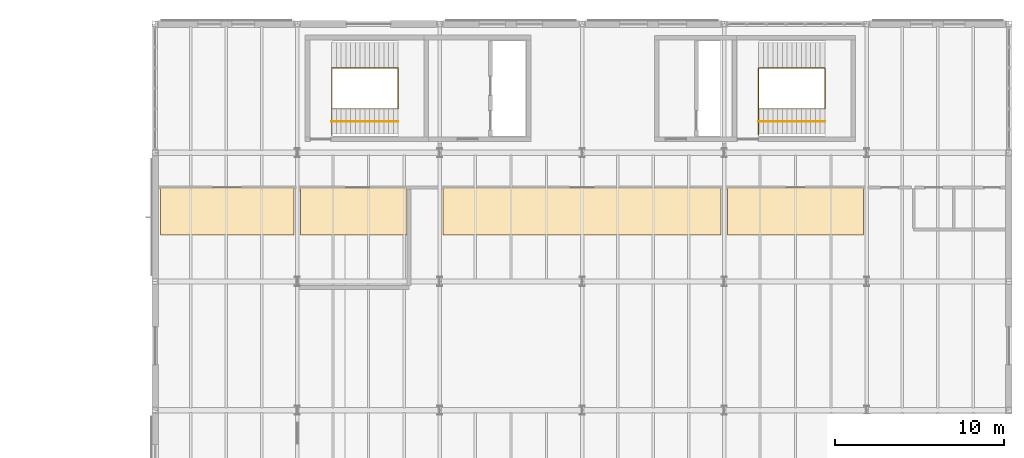
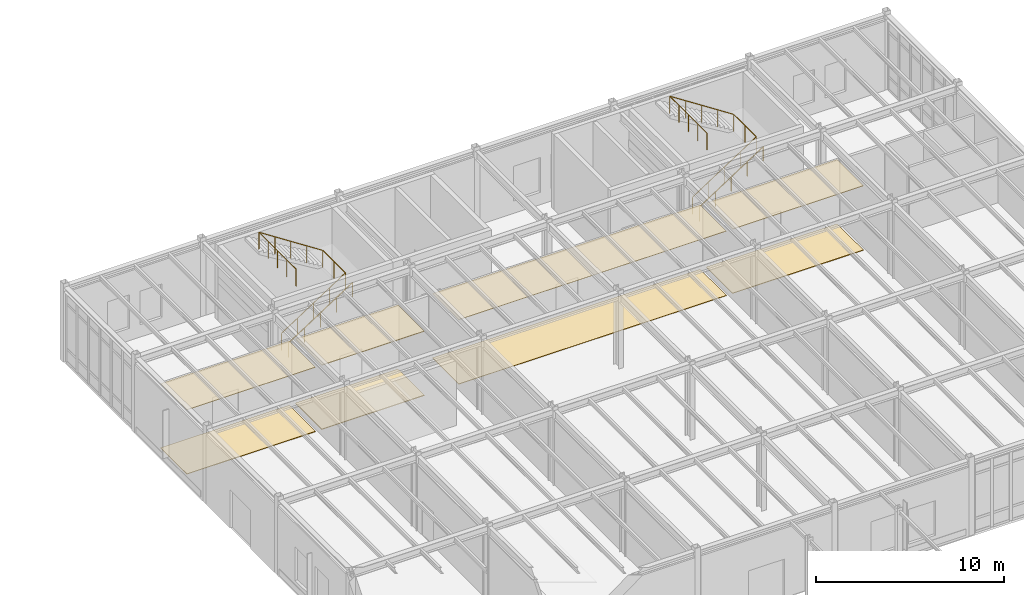
# One storey, part 105 of 109: 8 coverings, 4 railings.
"""IFC4 building model written with IfcOpenShell, lengths in metres."""

from ifc_helpers import new_model, si_unit, direction, frame, origin, origin_2d, place, context, subcontext, project, spatial, polyline, circle, outline, extrude, material, layer, layer_set, type_object, element, save


model = new_model("IFC4")

# Units and contexts
model_context = context("Model", 3, precision=1e-05, world=origin(), true_north=direction((0.0, 1.0)))
body_context = subcontext(model_context, "Body", "Model", "MODEL_VIEW")
ifc_project = project(units=[si_unit("LENGTHUNIT", "METRE"), si_unit("AREAUNIT", "SQUARE_METRE"), si_unit("VOLUMEUNIT", "CUBIC_METRE"), si_unit("PLANEANGLEUNIT", "RADIAN"), si_unit("MASSUNIT", "GRAM", prefix="KILO")], contexts=[model_context])

# Site, building, storey
site_placement = place(None, origin())
site = spatial("IfcSite", under=ifc_project, at=site_placement, CompositionType="ELEMENT")
building_placement = place(site_placement, origin())
building = spatial("IfcBuilding", under=site, at=building_placement, Name="Montecoro Central Library", CompositionType="ELEMENT")
storey_placement = place(building_placement, origin())
storey = spatial("IfcBuildingStorey", under=building, at=storey_placement, Name="L00", CompositionType="ELEMENT", Elevation=0.0)

# Coverings
ifc_material_1 = material(Name="Acoustic perforated mineral ceiling")
ifc_layer_1 = layer(ifc_material_1, 0.02490234375)
ifc_layer_set_1 = layer_set([ifc_layer_1], Name="Acoustic perforated mineral ceiling")
covering_type_1 = type_object("IfcCoveringType", Name="COV-CLG-01", PredefinedType="CEILING", material=ifc_layer_set_1)
covering_1_placement = place(storey_placement, frame((0.0, 0.0, 4.175048828125)))
element("IfcCovering", 1, at=covering_1_placement, inside=storey, type_object=covering_type_1, Name="CLG-SP-V2-L00-R3P1", PredefinedType="CEILING", context=body_context, shape_type="SweptSolid", body=[
    extrude(outline(polyline([(83.389892578125, 106.550048828125), (99.81005859375, 106.550048828125), (99.81005859375, 109.35009765625), (83.389892578125, 109.35009765625), (83.389892578125, 106.550048828125)])), origin(), (0.0, 0.0, 1.0), 0.02490234375),
])
ifc_layer_2 = layer(ifc_material_1, 0.031982421875)
ifc_layer_set_2 = layer_set([ifc_layer_2], Name="Acoustic perforated mineral ceiling")
covering_type_2 = type_object("IfcCoveringType", Name="COV-CLG-02", PredefinedType="CEILING", material=ifc_layer_set_2)
covering_2_placement = place(storey_placement, frame((0.0, 0.0, 4.16796875)))
element("IfcCovering", 2, at=covering_2_placement, inside=storey, type_object=covering_type_2, Name="CLG-SP-V2-L00-R1P1", PredefinedType="CEILING", context=body_context, shape_type="SweptSolid", body=[
    extrude(outline(polyline([(66.719970703125, 106.550048828125), (74.610107421875, 106.550048828125), (74.610107421875, 109.35009765625), (66.719970703125, 109.35009765625), (66.719970703125, 106.550048828125)])), origin(), (0.0, 0.0, 1.0), 0.031982421875),
])
covering_3_placement = place(storey_placement, frame((0.0, 0.0, 4.16796875)))
element("IfcCovering", 3, at=covering_3_placement, inside=storey, type_object=covering_type_2, Name="CLG-SP-V2-L00-R4P1", PredefinedType="CEILING", context=body_context, shape_type="SweptSolid", body=[
    extrude(outline(polyline([(100.18994140625, 106.550048828125), (108.2099609375, 106.550048828125), (108.2099609375, 109.35009765625), (100.18994140625, 109.35009765625), (100.18994140625, 106.550048828125)])), origin(), (0.0, 0.0, 1.0), 0.031982421875),
])
ifc_layer_3 = layer(ifc_material_1, 0.0400390625)
ifc_layer_set_3 = layer_set([ifc_layer_3], Name="Acoustic perforated mineral ceiling")
covering_type_3 = type_object("IfcCoveringType", Name="COV-CLG-03", PredefinedType="CEILING", material=ifc_layer_set_3)
covering_4_placement = place(storey_placement, frame((0.0, 0.0, 4.159912109375)))
element("IfcCovering", 4, at=covering_4_placement, inside=storey, type_object=covering_type_3, Name="CLG-SP-V2-L00-FCR", PredefinedType="CEILING", context=body_context, shape_type="SweptSolid", body=[
    extrude(outline(polyline([(74.989990234375, 106.550048828125), (81.280029296875, 106.550048828125), (81.280029296875, 109.35009765625), (74.989990234375, 109.35009765625), (74.989990234375, 106.550048828125)])), origin(), (0.0, 0.0, 1.0), 0.0400390625),
])
ifc_material_2 = material(Name="Neapolitan brass-inlaid terrazzo flooring")
ifc_layer_4 = layer(ifc_material_2, 0.028076171875)
ifc_layer_set_4 = layer_set([ifc_layer_4], Name="Neapolitan brass-inlaid terrazzo flooring")
covering_type_4 = type_object("IfcCoveringType", Name="COV-FLR-01", PredefinedType="FLOORING", material=ifc_layer_set_4)
covering_5_placement = place(storey_placement, origin())
element("IfcCovering", 5, at=covering_5_placement, inside=storey, type_object=covering_type_4, Name="FLR-SP-V2-L00-R3P1", PredefinedType="FLOORING", context=body_context, shape_type="SweptSolid", body=[
    extrude(outline(polyline([(83.389892578125, 106.550048828125), (99.81005859375, 106.550048828125), (99.81005859375, 109.35009765625), (83.389892578125, 109.35009765625), (83.389892578125, 106.550048828125)])), origin(), (0.0, 0.0, 1.0), 0.028076171875),
])
ifc_layer_5 = layer(ifc_material_2, 0.035888671875)
ifc_layer_set_5 = layer_set([ifc_layer_5], Name="Neapolitan brass-inlaid terrazzo flooring")
covering_type_5 = type_object("IfcCoveringType", Name="COV-FLR-02", PredefinedType="FLOORING", material=ifc_layer_set_5)
covering_6_placement = place(storey_placement, origin())
element("IfcCovering", 6, at=covering_6_placement, inside=storey, type_object=covering_type_5, Name="FLR-SP-V2-L00-R1P1", PredefinedType="FLOORING", context=body_context, shape_type="SweptSolid", body=[
    extrude(outline(polyline([(66.719970703125, 106.550048828125), (74.610107421875, 106.550048828125), (74.610107421875, 109.35009765625), (66.719970703125, 109.35009765625), (66.719970703125, 106.550048828125)])), origin(), (0.0, 0.0, 1.0), 0.035888671875),
])
covering_7_placement = place(storey_placement, origin())
element("IfcCovering", 7, at=covering_7_placement, inside=storey, type_object=covering_type_5, Name="FLR-SP-V2-L00-R4P1", PredefinedType="FLOORING", context=body_context, shape_type="SweptSolid", body=[
    extrude(outline(polyline([(100.18994140625, 106.550048828125), (108.2099609375, 106.550048828125), (108.2099609375, 109.35009765625), (100.18994140625, 109.35009765625), (100.18994140625, 106.550048828125)])), origin(), (0.0, 0.0, 1.0), 0.035888671875),
])
ifc_layer_6 = layer(ifc_material_2, 0.0439453125)
ifc_layer_set_6 = layer_set([ifc_layer_6], Name="Neapolitan brass-inlaid terrazzo flooring")
covering_type_6 = type_object("IfcCoveringType", Name="COV-FLR-03", PredefinedType="FLOORING", material=ifc_layer_set_6)
covering_8_placement = place(storey_placement, origin())
element("IfcCovering", 8, at=covering_8_placement, inside=storey, type_object=covering_type_6, Name="FLR-SP-V2-L00-FCR", PredefinedType="FLOORING", context=body_context, shape_type="SweptSolid", body=[
    extrude(outline(polyline([(74.989990234375, 106.550048828125), (81.280029296875, 106.550048828125), (81.280029296875, 109.35009765625), (74.989990234375, 109.35009765625), (74.989990234375, 106.550048828125)])), origin(), (0.0, 0.0, 1.0), 0.0439453125),
])

# Railings
ifc_material_3 = material(Name="Brushed stainless steel and bronze balustrade", Category="steel")
railing_type_1 = type_object("IfcRailingType", Name="GRD-INT-110", PredefinedType="GUARDRAIL", material=ifc_material_3)
railing_1_placement = place(storey_placement, frame((76.820068359375, 114.0, 0.0)))
element("IfcRailing", 9, at=railing_1_placement, inside=storey, type_object=railing_type_1, Name="C2-L00-STR-GRD", PredefinedType="GUARDRAIL", context=body_context, shape_type="SweptSolid", body=[
    extrude(circle(Radius=0.02392578125, at=origin_2d()), frame((0.0, 0.0, 1.09619140625), z_axis=(0.838238398293, 0.0, 0.545303940594), x_axis=(0.0, 1.0, 0.0)), (0.0, 0.0, 1.0), 4.67626953125),
    extrude(circle(Radius=0.02392578125, at=origin_2d()), frame((3.919921875, 0.0, 3.64599609375), z_axis=(0.0, 1.0, 0.0), x_axis=(-1.0, 0.0, 0.0)), (0.0, 0.0, 1.0), 2.39990234375),
    extrude(circle(Radius=0.02392578125, at=origin_2d()), frame((3.919921875, 2.39990234375, 3.64599609375), z_axis=(-0.838238398293, 0.0, 0.545303940594), x_axis=(0.0, -1.0, 0.0)), (0.0, 0.0, 1.0), 4.67626953125),
    extrude(circle(Radius=0.02392578125, at=origin_2d()), frame((0.0, 2.39990234375, 6.1962890625), z_axis=(0.0, -1.0, 0.0), x_axis=(1.0, 0.0, 0.0)), (0.0, 0.0, 1.0), 3.949951171875),
    extrude(circle(Radius=0.02099609375, at=origin_2d()), origin(), (0.0, 0.0, 1.0), 1.072021484375),
    extrude(circle(Radius=0.02099609375, at=origin_2d()), frame((0.97998046875, 0.0, 0.637451171875)), (0.0, 0.0, 1.0), 1.072021484375),
    extrude(circle(Radius=0.02099609375, at=origin_2d()), frame((1.9599609375, 0.0, 1.27490234375)), (0.0, 0.0, 1.0), 1.072021484375),
    extrude(circle(Radius=0.02099609375, at=origin_2d()), frame((2.93994140625, 0.0, 1.91259765625)), (0.0, 0.0, 1.0), 1.072021484375),
    extrude(circle(Radius=0.02099609375, at=origin_2d()), frame((3.919921875, 0.0, 2.550048828125)), (0.0, 0.0, 1.0), 1.072021484375),
    extrude(circle(Radius=0.02099609375, at=origin_2d()), frame((3.919921875, 1.199951171875, 2.550048828125)), (0.0, 0.0, 1.0), 1.072021484375),
    extrude(circle(Radius=0.02099609375, at=origin_2d()), frame((3.919921875, 2.39990234375, 2.550048828125)), (0.0, 0.0, 1.0), 1.072021484375),
    extrude(circle(Radius=0.02099609375, at=origin_2d()), frame((2.93994140625, 2.39990234375, 3.1875)), (0.0, 0.0, 1.0), 1.072021484375),
    extrude(circle(Radius=0.02099609375, at=origin_2d()), frame((1.9599609375, 2.39990234375, 3.8251953125)), (0.0, 0.0, 1.0), 1.072021484375),
    extrude(circle(Radius=0.02099609375, at=origin_2d()), frame((0.97998046875, 2.39990234375, 4.462646484375)), (0.0, 0.0, 1.0), 1.072021484375),
    extrude(circle(Radius=0.02099609375, at=origin_2d()), frame((0.0, 2.39990234375, 5.10009765625)), (0.0, 0.0, 1.0), 1.072021484375),
    extrude(circle(Radius=0.02099609375, at=origin_2d()), frame((0.0, 1.412353515625, 5.10009765625)), (0.0, 0.0, 1.0), 1.072021484375),
    extrude(circle(Radius=0.02099609375, at=origin_2d()), frame((0.0, 0.4248046875, 5.10009765625)), (0.0, 0.0, 1.0), 1.072021484375),
    extrude(circle(Radius=0.02099609375, at=origin_2d()), frame((0.0, -0.5625, 5.10009765625)), (0.0, 0.0, 1.0), 1.072021484375),
    extrude(circle(Radius=0.02099609375, at=origin_2d()), frame((0.0, -1.550048828125, 5.10009765625)), (0.0, 0.0, 1.0), 1.072021484375),
])
railing_2_placement = place(storey_placement, frame((102.02001953125, 114.0, 0.0)))
element("IfcRailing", 10, at=railing_2_placement, inside=storey, type_object=railing_type_1, Name="C3-L00-STR-GRD", PredefinedType="GUARDRAIL", context=body_context, shape_type="SweptSolid", body=[
    extrude(circle(Radius=0.02392578125, at=origin_2d()), frame((0.0, 0.0, 1.09619140625), z_axis=(0.838238398293, 0.0, 0.545303940594), x_axis=(0.0, 1.0, 0.0)), (0.0, 0.0, 1.0), 4.67626953125),
    extrude(circle(Radius=0.02392578125, at=origin_2d()), frame((3.919921875, 0.0, 3.64599609375), z_axis=(0.0, 1.0, 0.0), x_axis=(-1.0, 0.0, 0.0)), (0.0, 0.0, 1.0), 2.39990234375),
    extrude(circle(Radius=0.02392578125, at=origin_2d()), frame((3.919921875, 2.39990234375, 3.64599609375), z_axis=(-0.838238398293, 0.0, 0.545303940594), x_axis=(0.0, -1.0, 0.0)), (0.0, 0.0, 1.0), 4.67626953125),
    extrude(circle(Radius=0.02392578125, at=origin_2d()), frame((0.0, 2.39990234375, 6.1962890625), z_axis=(0.0, -1.0, 0.0), x_axis=(1.0, 0.0, 0.0)), (0.0, 0.0, 1.0), 3.949951171875),
    extrude(circle(Radius=0.02099609375, at=origin_2d()), origin(), (0.0, 0.0, 1.0), 1.072021484375),
    extrude(circle(Radius=0.02099609375, at=origin_2d()), frame((0.97998046875, 0.0, 0.637451171875)), (0.0, 0.0, 1.0), 1.072021484375),
    extrude(circle(Radius=0.02099609375, at=origin_2d()), frame((1.9599609375, 0.0, 1.27490234375)), (0.0, 0.0, 1.0), 1.072021484375),
    extrude(circle(Radius=0.02099609375, at=origin_2d()), frame((2.93994140625, 0.0, 1.91259765625)), (0.0, 0.0, 1.0), 1.072021484375),
    extrude(circle(Radius=0.02099609375, at=origin_2d()), frame((3.919921875, 0.0, 2.550048828125)), (0.0, 0.0, 1.0), 1.072021484375),
    extrude(circle(Radius=0.02099609375, at=origin_2d()), frame((3.919921875, 1.199951171875, 2.550048828125)), (0.0, 0.0, 1.0), 1.072021484375),
    extrude(circle(Radius=0.02099609375, at=origin_2d()), frame((3.919921875, 2.39990234375, 2.550048828125)), (0.0, 0.0, 1.0), 1.072021484375),
    extrude(circle(Radius=0.02099609375, at=origin_2d()), frame((2.93994140625, 2.39990234375, 3.1875)), (0.0, 0.0, 1.0), 1.072021484375),
    extrude(circle(Radius=0.02099609375, at=origin_2d()), frame((1.9599609375, 2.39990234375, 3.8251953125)), (0.0, 0.0, 1.0), 1.072021484375),
    extrude(circle(Radius=0.02099609375, at=origin_2d()), frame((0.97998046875, 2.39990234375, 4.462646484375)), (0.0, 0.0, 1.0), 1.072021484375),
    extrude(circle(Radius=0.02099609375, at=origin_2d()), frame((0.0, 2.39990234375, 5.10009765625)), (0.0, 0.0, 1.0), 1.072021484375),
    extrude(circle(Radius=0.02099609375, at=origin_2d()), frame((0.0, 1.412353515625, 5.10009765625)), (0.0, 0.0, 1.0), 1.072021484375),
    extrude(circle(Radius=0.02099609375, at=origin_2d()), frame((0.0, 0.4248046875, 5.10009765625)), (0.0, 0.0, 1.0), 1.072021484375),
    extrude(circle(Radius=0.02099609375, at=origin_2d()), frame((0.0, -0.5625, 5.10009765625)), (0.0, 0.0, 1.0), 1.072021484375),
    extrude(circle(Radius=0.02099609375, at=origin_2d()), frame((0.0, -1.550048828125, 5.10009765625)), (0.0, 0.0, 1.0), 1.072021484375),
])
ifc_material_4 = material(Name="Brushed architectural bronze handrail")
railing_type_2 = type_object("IfcRailingType", Name="HRL-STR-095", PredefinedType="HANDRAIL", material=ifc_material_4)
for number, where, name in (
    (11, (76.820068359375, 113.25, 0.0), "C2-L00-STR-HR1"),
    (12, (102.02001953125, 113.25, 0.0), "C3-L00-STR-HR1"),
):
    element("IfcRailing", number, at=place(storey_placement, frame(where)), inside=storey, type_object=railing_type_2, Name=name, PredefinedType="HANDRAIL", context=body_context, shape_type="SweptSolid", body=[
        extrude(circle(Radius=0.02392578125, at=origin_2d()), frame((0.0, 0.0, 0.92578125), z_axis=(0.838238398293, 0.0, 0.545303940594), x_axis=(0.0, 1.0, 0.0)), (0.0, 0.0, 1.0), 4.67626953125),
        extrude(circle(Radius=0.02099609375, at=origin_2d()), origin(), (0.0, 0.0, 1.0), 0.90185546875),
        extrude(circle(Radius=0.02099609375, at=origin_2d()), frame((0.97998046875, 0.0, 0.637451171875)), (0.0, 0.0, 1.0), 0.90185546875),
        extrude(circle(Radius=0.02099609375, at=origin_2d()), frame((1.9599609375, 0.0, 1.27490234375)), (0.0, 0.0, 1.0), 0.90185546875),
        extrude(circle(Radius=0.02099609375, at=origin_2d()), frame((2.93994140625, 0.0, 1.91259765625)), (0.0, 0.0, 1.0), 0.90185546875),
        extrude(circle(Radius=0.02099609375, at=origin_2d()), frame((3.919921875, 0.0, 2.550048828125)), (0.0, 0.0, 1.0), 0.90185546875),
    ])

save(model, "model.ifc")
